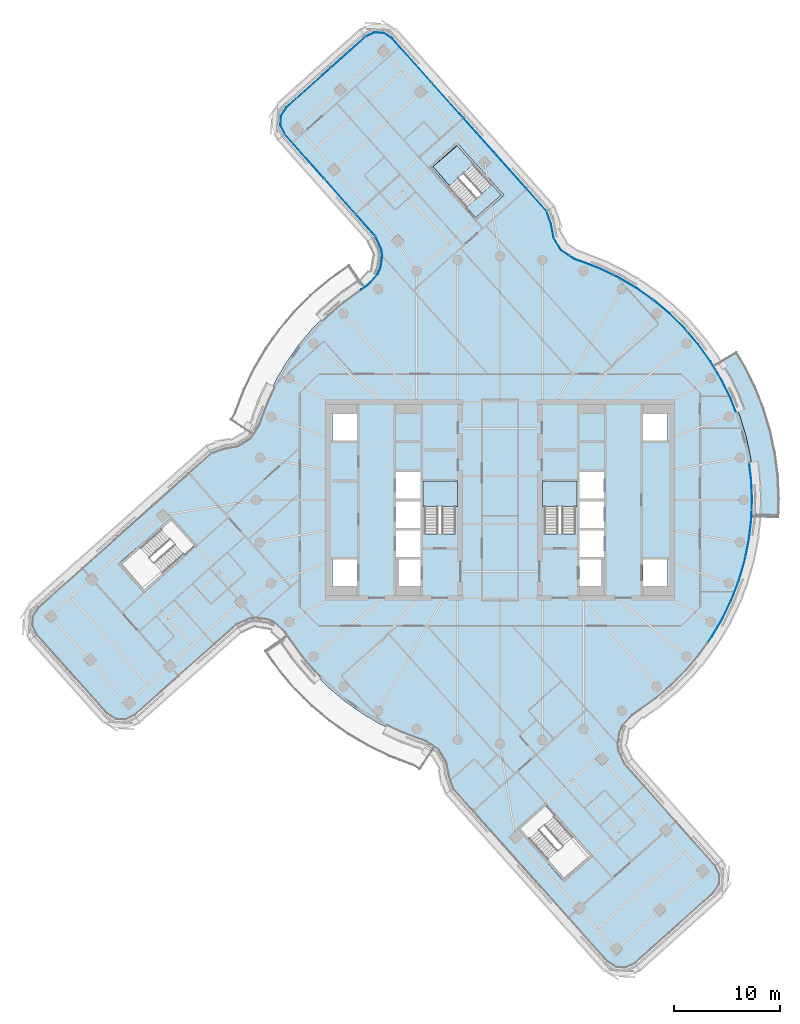
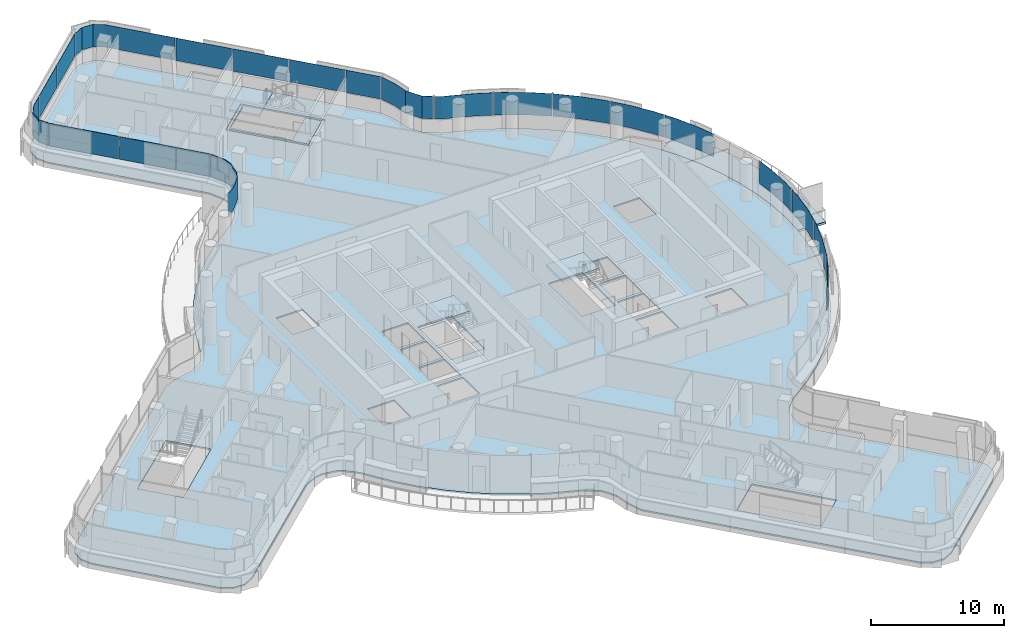
# One storey, part 19 of 33: 22 plates, 6 slabs, 8 elements without a shape of their own.
"""IFC4 building model written with IfcOpenShell, lengths in metres."""

from ifc_helpers import new_model, si_unit, direction, frame, origin, place, context, subcontext, project, spatial, polyline, outline, extrude, material, layer, layer_set, type_object, element, aggregate, save


model = new_model("IFC4")

# Units and contexts
model_context = context("Model", 3, precision=1e-05, world=origin(), true_north=direction((0.0, 1.0)))
body_context = subcontext(model_context, "Body", "Model", "MODEL_VIEW")
ifc_project = project(units=[si_unit("LENGTHUNIT", "METRE"), si_unit("AREAUNIT", "SQUARE_METRE"), si_unit("VOLUMEUNIT", "CUBIC_METRE"), si_unit("PLANEANGLEUNIT", "RADIAN"), si_unit("MASSUNIT", "GRAM", prefix="KILO")], contexts=[model_context])

# Site, building, storey
site_placement = place(None, origin())
site = spatial("IfcSite", under=ifc_project, at=site_placement, CompositionType="ELEMENT")
building_placement = place(site_placement, origin())
building = spatial("IfcBuilding", under=site, at=building_placement, Name="Tamarind Cross Interchange Tower", CompositionType="ELEMENT")
storey_placement = place(building_placement, frame((0.0, 0.0, 186.10009765625)))
storey = spatial("IfcBuildingStorey", under=building, at=storey_placement, Name="L46", CompositionType="ELEMENT", Elevation=186.10009765625)

# Slabs
ifc_material_1 = material(Name="Precast concrete C40", Category="concrete")
ifc_layer_1 = layer(ifc_material_1, 0.199951171875)
ifc_layer_set_1 = layer_set([ifc_layer_1], Name="Precast concrete C40")
slab_type_1 = type_object("IfcSlabType", Name="Balcony slab", PredefinedType="BASESLAB", material=ifc_layer_set_1)
slab_1_placement = place(storey_placement, frame((0.0, 0.0, -0.2001953125)))
element("IfcSlab", 1, at=slab_1_placement, inside=storey, type_object=slab_type_1, Name="SLB-L46-BAL06", PredefinedType="BASESLAB", context=body_context, shape_type="SweptSolid", body=[
    extrude(outline(polyline([(23.934814453125, -1.53857421875), (23.995849609375, 0.103271484375), (23.9052734375, 2.08447265625), (23.6513671875, 4.051513671875), (23.236083984375, 5.99072265625), (22.662109375, 7.88916015625), (21.93310546875, 9.733642578125), (21.054443359375, 11.511474609375), (20.32177734375, 12.72900390625), (22.37841796875, 13.96630859375), (23.162109375, 12.663818359375), (24.128662109375, 10.7080078125), (24.9306640625, 8.6787109375), (25.56201171875, 6.59033203125), (26.01904296875, 4.45703125), (26.298095703125, 2.293212890625), (26.397705078125, 0.113525390625), (26.333251953125, -1.62744140625), (23.934814453125, -1.53857421875)])), origin(), (0.0, 0.0, 1.0), 0.2001953125),
])
ifc_material_2 = material(Name="Concrete C35", Category="concrete")
ifc_layer_2 = layer(ifc_material_2, 0.139892578125)
ifc_layer_set_2 = layer_set([ifc_layer_2], Name="Concrete C35")
slab_type_2 = type_object("IfcSlabType", Name="Composite slab 140 Concrete C35", PredefinedType="FLOOR", material=ifc_layer_set_2)
slab_2_placement = place(storey_placement, frame((0.0, 0.0, -0.14013671875)))
element("IfcSlab", 2, at=slab_2_placement, inside=storey, type_object=slab_type_2, Name="Floor slab L46", PredefinedType="FLOOR", context=body_context, shape_type="SweptSolid", body=[
    extrude(outline(polyline([(-26.13427734375, 5.01025390625), (-27.390380859375, 4.570556640625), (-43.71826171875, -10.024169921875), (-44.285400390625, -10.890380859375), (-44.34326171875, -11.924072265625), (-43.876708984375, -12.84814453125), (-37.21240234375, -20.3037109375), (-36.34619140625, -20.870849609375), (-35.3125, -20.9287109375), (-34.38818359375, -20.462158203125), (-24.788330078125, -11.9384765625), (-23.61474609375, -11.39208984375), (-23.053955078125, -11.31201171875), (-21.92138671875, -11.485595703125), (-21.410400390625, -11.72998046875), (-20.4541015625, -12.602294921875), (-20.031982421875, -13.2109375), (-18.87255859375, -14.820068359375), (-17.584228515625, -16.327880859375), (-16.17578125, -17.72412109375), (-14.656982421875, -18.99951171875), (-13.0380859375, -20.14501953125), (-11.329833984375, -21.15283203125), (-9.54443359375, -22.01611328125), (-7.693603515625, -22.72900390625), (-7.11669921875, -22.9267578125), (-5.928955078125, -23.705078125), (-5.2578125, -24.827880859375), (-5.01025390625, -26.13427734375), (-4.570556640625, -27.390380859375), (10.024169921875, -43.71826171875), (10.890380859375, -44.285400390625), (11.924072265625, -44.34326171875), (12.84814453125, -43.876708984375), (20.3037109375, -37.21240234375), (20.870849609375, -36.34619140625), (20.9287109375, -35.3125), (20.462158203125, -34.38818359375), (11.9384765625, -24.788330078125), (11.39208984375, -23.61474609375), (11.31201171875, -23.053955078125), (11.485595703125, -21.92138671875), (11.72998046875, -21.410400390625), (12.602294921875, -20.4541015625), (13.2109375, -20.031982421875), (14.820068359375, -18.87255859375), (16.327880859375, -17.584228515625), (17.72412109375, -16.17578125), (18.99951171875, -14.656982421875), (20.14501953125, -13.0380859375), (21.15283203125, -11.329833984375), (22.01611328125, -9.54443359375), (22.72900390625, -7.693603515625), (23.286865234375, -5.79052734375), (23.685546875, -3.84765625), (23.92236328125, -1.878662109375), (23.99560546875, 0.103271484375), (23.9052734375, 2.08447265625), (23.651611328125, 4.051513671875), (23.236083984375, 5.99072265625), (22.662109375, 7.88916015625), (21.93310546875, 9.7333984375), (21.054443359375, 11.511474609375), (20.031982421875, 13.2109375), (18.87255859375, 14.820068359375), (17.584228515625, 16.327880859375), (16.17578125, 17.72412109375), (14.656982421875, 18.99951171875), (13.0380859375, 20.14501953125), (11.329833984375, 21.15283203125), (9.54443359375, 22.01611328125), (7.693603515625, 22.72900390625), (7.11669921875, 22.9267578125), (5.928955078125, 23.705078125), (5.2578125, 24.827880859375), (5.01025390625, 26.13427734375), (4.570556640625, 27.390380859375), (-10.024169921875, 43.71826171875), (-10.890380859375, 44.285400390625), (-11.924072265625, 44.34326171875), (-12.84814453125, 43.876708984375), (-20.3037109375, 37.21240234375), (-20.870849609375, 36.34619140625), (-20.9287109375, 35.3125), (-20.462158203125, 34.38818359375), (-11.9384765625, 24.788330078125), (-11.39208984375, 23.61474609375), (-11.31201171875, 23.053955078125), (-11.485595703125, 21.92138671875), (-11.72998046875, 21.410400390625), (-12.602294921875, 20.4541015625), (-13.2109375, 20.031982421875), (-14.820068359375, 18.87255859375), (-16.327880859375, 17.584228515625), (-17.72412109375, 16.17578125), (-18.99951171875, 14.656982421875), (-20.14501953125, 13.0380859375), (-21.15283203125, 11.329833984375), (-22.01611328125, 9.54443359375), (-22.72900390625, 7.693603515625), (-22.9267578125, 7.11669921875), (-23.705078125, 5.928955078125), (-24.827880859375, 5.2578125), (-26.13427734375, 5.01025390625)]), holes=[polyline([(-31.014404296875, -1.619384765625), (-30.881103515625, -1.7685546875), (-28.748291015625, -4.154296875), (-28.615234375, -4.303466796875), (-33.610595703125, -8.7685546875), (-33.743896484375, -8.619384765625), (-35.876220703125, -6.233642578125), (-36.009521484375, -6.08447265625), (-35.797119140625, -5.894287109375), (-35.836181640625, -5.84912109375), (-33.343994140625, -3.70166015625), (-31.014404296875, -1.619384765625)]), polyline([(-13.5, -8.125), (-15.800048828125, -8.125), (-15.800048828125, -5.625), (-13.5, -5.625), (-13.5, -8.125)]), polyline([(-7.5, -8.125), (-9.800048828125, -8.125), (-9.800048828125, -5.625), (-7.5, -5.625), (-7.5, -8.125)]), polyline([(-7.5, -5.375), (-9.800048828125, -5.375), (-9.800048828125, -2.875), (-7.5, -2.875), (-7.5, -5.375)]), polyline([(-7.5, -2.625), (-9.800048828125, -2.625), (-9.800048828125, -0.125), (-7.5, -0.125), (-7.5, -2.625)]), polyline([(-4.199951171875, 1.800048828125), (-4.199951171875, -3.18798828125), (-7.14990234375, -3.18798828125), (-7.14990234375, 1.800048828125), (-4.199951171875, 1.800048828125)]), polyline([(-7.5, 0.125), (-9.800048828125, 0.125), (-9.800048828125, 2.625), (-7.5, 2.625), (-7.5, 0.125)]), polyline([(-13.5, 5.625), (-15.800048828125, 5.625), (-15.800048828125, 8.125), (-13.5, 8.125), (-13.5, 5.625)]), polyline([(-6.769287109375, 31.373779296875), (-6.6201171875, 31.507080078125), (-4.234375, 33.6396484375), (-4.085205078125, 33.77294921875), (-3.894775390625, 33.559814453125), (-3.890869140625, 33.5634765625), (-3.701904296875, 33.343994140625), (0.3798828125, 28.777587890625), (0.230712890625, 28.644287109375), (-2.155029296875, 26.51171875), (-2.30419921875, 26.37841796875), (-6.769287109375, 31.373779296875)]), polyline([(1.619384765625, -31.014404296875), (1.7685546875, -30.881103515625), (4.154296875, -28.748291015625), (4.303466796875, -28.615234375), (8.7685546875, -33.610595703125), (8.619384765625, -33.743896484375), (6.233642578125, -35.876220703125), (6.08447265625, -36.009521484375), (5.894287109375, -35.797119140625), (5.84912109375, -35.836181640625), (3.70166015625, -33.343994140625), (1.619384765625, -31.014404296875)]), polyline([(7.5, -5.625), (9.800048828125, -5.625), (9.800048828125, -8.125), (7.5, -8.125), (7.5, -5.625)]), polyline([(13.5, -5.625), (15.800048828125, -5.625), (15.800048828125, -8.125), (13.5, -8.125), (13.5, -5.625)]), polyline([(7.5, -2.875), (9.800048828125, -2.875), (9.800048828125, -5.375), (7.5, -5.375), (7.5, -2.875)]), polyline([(7.5, -0.125), (9.800048828125, -0.125), (9.800048828125, -2.625), (7.5, -2.625), (7.5, -0.125)]), polyline([(7.14990234375, 1.800048828125), (7.14990234375, -3.18798828125), (4.199951171875, -3.18798828125), (4.199951171875, 1.800048828125), (7.14990234375, 1.800048828125)]), polyline([(7.5, 2.625), (9.800048828125, 2.625), (9.800048828125, 0.125), (7.5, 0.125), (7.5, 2.625)]), polyline([(13.5, 8.125), (15.800048828125, 8.125), (15.800048828125, 5.625), (13.5, 5.625), (13.5, 8.125)])]), origin(), (0.0, 0.0, 1.0), 0.14013671875),
])
slab_3_placement = place(storey_placement, frame((0.0, 0.0, -0.14013671875)))
element("IfcSlab", 3, at=slab_3_placement, inside=storey, type_object=slab_type_2, Name="Floor slab L46", PredefinedType="FLOOR", context=body_context, shape_type="SweptSolid", body=[
    extrude(outline(polyline([(-2.288330078125, 26.660888671875), (0.097412109375, 28.79345703125), (-0.7216796875, 29.709716796875), (-0.77685546875, 29.771484375), (-3.07666015625, 27.7158203125), (-6.315185546875, 31.474609375), (-4.04638671875, 33.429443359375), (-4.10107421875, 33.490478515625), (-6.48681640625, 31.35791015625), (-2.288330078125, 26.660888671875)])), origin(), (0.0, 0.0, 1.0), 0.14013671875),
])

# Stair, slab
ifc_material_3 = material(Name="Exit stair")
stair_type = type_object("IfcStairType", Name="Exit stair", PredefinedType="HALF_TURN_STAIR", material=ifc_material_3)
stair_1_placement = place(storey_placement, origin())
stair_1 = element("IfcStair", 4, at=stair_1_placement, inside=storey, type_object=stair_type, Name="L46 exit stair ST1", PredefinedType="HALF_TURN_STAIR")
ifc_material_4 = material(Name="Concrete C40", Category="concrete")
ifc_layer_3 = layer(ifc_material_4, 0.199951171875)
ifc_layer_set_3 = layer_set([ifc_layer_3], Name="Concrete C40")
slab_type_3 = type_object("IfcSlabType", Name="Stair landing", PredefinedType="LANDING", material=ifc_layer_set_3)
slab_4_placement = place(storey_placement, frame((0.0, 0.0, 1.599853515625)))
slab_4 = element("IfcSlab", 5, at=slab_4_placement, type_object=slab_type_3, Name="ST1 landing 1", PredefinedType="LANDING", context=body_context, shape_type="SweptSolid", body=[
    extrude(outline(polyline([(-4.0, -0.60009765625), (-4.0, 1.800048828125), (-7.25, 1.800048828125), (-7.25, -0.60009765625), (-4.0, -0.60009765625)])), origin(), (0.0, 0.0, 1.0), 0.199951171875),
])
aggregate(stair_1, [slab_4])

stair_2_placement = place(storey_placement, origin())
stair_2 = element("IfcStair", 6, at=stair_2_placement, inside=storey, type_object=stair_type, Name="L46 exit stair ST2", PredefinedType="HALF_TURN_STAIR")
slab_5_placement = place(storey_placement, frame((0.0, 0.0, 1.599853515625)))
slab_5 = element("IfcSlab", 7, at=slab_5_placement, type_object=slab_type_3, Name="ST2 landing 1", PredefinedType="LANDING", context=body_context, shape_type="SweptSolid", body=[
    extrude(outline(polyline([(7.25, -0.60009765625), (7.25, 1.800048828125), (4.0, 1.800048828125), (4.0, -0.60009765625), (7.25, -0.60009765625)])), origin(), (0.0, 0.0, 1.0), 0.199951171875),
])
aggregate(stair_2, [slab_5])

stair_3_placement = place(storey_placement, origin())
stair_3 = element("IfcStair", 8, at=stair_3_placement, inside=storey, type_object=stair_type, Name="L46 exit stair ST4", PredefinedType="HALF_TURN_STAIR")
slab_6_placement = place(storey_placement, frame((0.0, 0.0, 1.599853515625)))
slab_6 = element("IfcSlab", 9, at=slab_6_placement, type_object=slab_type_3, Name="ST4 landing 1", PredefinedType="LANDING", context=body_context, shape_type="SweptSolid", body=[
    extrude(outline(polyline([(-2.49365234375, 31.692138671875), (-4.10107421875, 33.490478515625), (-6.48681640625, 31.35791015625), (-4.87939453125, 29.5595703125), (-2.49365234375, 31.692138671875)])), origin(), (0.0, 0.0, 1.0), 0.199951171875),
])
aggregate(stair_3, [slab_6])

# Curtain wall, plates
ifc_material_5 = material(Name="Aluminium 6063-T6", Category="aluminium")
ifc_layer_4 = layer(ifc_material_5, 0.139892578125)
ifc_layer_set_4 = layer_set([ifc_layer_4], Name="Aluminium 6063-T6")
curtain_wall_type = type_object("IfcCurtainWallType", Name="Hotel curtain wall, 4.5 m bays", PredefinedType="NOTDEFINED", material=ifc_layer_set_4)
curtain_wall_1_placement = place(storey_placement, origin())
curtain_wall_1 = element("IfcCurtainWall", 10, at=curtain_wall_1_placement, inside=storey, type_object=curtain_wall_type, Name="CWS-L46-06", PredefinedType="NOTDEFINED")
ifc_material_6 = material(Name="Laminated low-e glass 6+1.52+6", Category="glass")
ifc_layer_5 = layer(ifc_material_6, 0.02392578125)
ifc_layer_set_5 = layer_set([ifc_layer_5], Name="Laminated low-e glass 6+1.52+6")
plate_type = type_object("IfcPlateType", Name="Vision panel CW2", PredefinedType="CURTAIN_PANEL", material=ifc_layer_set_5)
plate_1_placement = place(storey_placement, frame((0.0, 0.0, 1.39990234375)))
plate_1 = element("IfcPlate", 11, at=plate_1_placement, type_object=plate_type, Name="CWP-L46-06-03", PredefinedType="CURTAIN_PANEL", context=body_context, shape_type="SweptSolid", body=[
    extrude(outline(polyline([(19.592041015625, -13.452392578125), (19.966796875, -12.922607421875), (20.9658203125, -11.229736328125), (21.7451171875, -9.61767578125), (21.766845703125, -9.628173828125), (20.98681640625, -11.240966796875), (19.987060546875, -12.935791015625), (19.611572265625, -13.46630859375), (19.592041015625, -13.452392578125)])), origin(), (0.0, 0.0, 1.0), 2.06005859375),
])
plate_2_placement = place(storey_placement, frame((0.0, 0.0, 1.39990234375)))
plate_2 = element("IfcPlate", 12, at=plate_2_placement, type_object=plate_type, Name="CWP-L46-06-04", PredefinedType="CURTAIN_PANEL", context=body_context, shape_type="SweptSolid", body=[
    extrude(outline(polyline([(21.771240234375, -9.563720703125), (21.821533203125, -9.4599609375), (22.528076171875, -7.625732421875), (23.080810546875, -5.7392578125), (23.152587890625, -5.3896484375), (23.17626953125, -5.39453125), (23.104248046875, -5.7451171875), (22.55078125, -7.63330078125), (21.843505859375, -9.469482421875), (21.79296875, -9.57421875), (21.771240234375, -9.563720703125)])), origin(), (0.0, 0.0, 1.0), 2.06005859375),
])
plate_3_placement = place(storey_placement, frame((0.0, 0.0, 1.39990234375)))
plate_3 = element("IfcPlate", 13, at=plate_3_placement, type_object=plate_type, Name="CWP-L46-06-05", PredefinedType="CURTAIN_PANEL", context=body_context, shape_type="SweptSolid", body=[
    extrude(outline(polyline([(23.164794921875, -5.330810546875), (23.47607421875, -3.813720703125), (23.710693359375, -1.862060546875), (23.74365234375, -0.971923828125), (23.767822265625, -0.972900390625), (23.734619140625, -1.864013671875), (23.499755859375, -3.817626953125), (23.188232421875, -5.335693359375), (23.164794921875, -5.330810546875)])), origin(), (0.0, 0.0, 1.0), 2.06005859375),
])
plate_4_placement = place(storey_placement, frame((0.0, 0.0, 1.39990234375)))
plate_4 = element("IfcPlate", 14, at=plate_4_placement, type_object=plate_type, Name="CWP-L46-06-06", PredefinedType="CURTAIN_PANEL", context=body_context, shape_type="SweptSolid", body=[
    extrude(outline(polyline([(23.745849609375, -0.912109375), (23.783447265625, 0.102294921875), (23.69384765625, 2.06591796875), (23.511474609375, 3.478759765625), (23.535400390625, 3.48193359375), (23.7177734375, 2.068115234375), (23.8076171875, 0.1025390625), (23.77001953125, -0.912841796875), (23.745849609375, -0.912109375)])), origin(), (0.0, 0.0, 1.0), 2.06005859375),
])
plate_5_placement = place(storey_placement, frame((0.0, 0.0, 1.39990234375)))
plate_5 = element("IfcPlate", 15, at=plate_5_placement, type_object=plate_type, Name="CWP-L46-06-08", PredefinedType="CURTAIN_PANEL", context=body_context, shape_type="SweptSolid", body=[
    extrude(outline(polyline([(22.274169921875, 8.2939453125), (21.7392578125, 9.6474609375), (20.868408203125, 11.40966796875), (20.36083984375, 12.2529296875), (20.381591796875, 12.265380859375), (20.889404296875, 11.421142578125), (21.76123046875, 9.6572265625), (22.29638671875, 8.302734375), (22.274169921875, 8.2939453125)])), origin(), (0.0, 0.0, 1.0), 2.06005859375),
])
plate_6_placement = place(storey_placement, frame((0.0, 0.0, 1.39990234375)))
plate_6 = element("IfcPlate", 16, at=plate_6_placement, type_object=plate_type, Name="CWP-L46-06-09", PredefinedType="CURTAIN_PANEL", context=body_context, shape_type="SweptSolid", body=[
    extrude(outline(polyline([(20.330078125, 12.30419921875), (19.854736328125, 13.093994140625), (18.705810546875, 14.68896484375), (17.7197265625, 15.843017578125), (17.738037109375, 15.8583984375), (18.724609375, 14.703857421875), (19.874755859375, 13.107177734375), (20.3505859375, 12.316650390625), (20.330078125, 12.30419921875)])), origin(), (0.0, 0.0, 1.0), 2.06005859375),
])
plate_7_placement = place(storey_placement, frame((0.0, 0.0, 1.39990234375)))
plate_7 = element("IfcPlate", 17, at=plate_7_placement, type_object=plate_type, Name="CWP-L46-06-10", PredefinedType="CURTAIN_PANEL", context=body_context, shape_type="SweptSolid", body=[
    extrude(outline(polyline([(17.680908203125, 15.888427734375), (17.4287109375, 16.183349609375), (16.032958984375, 17.5673828125), (14.52734375, 18.83154296875), (14.458740234375, 18.880126953125), (14.472412109375, 18.899658203125), (14.5419921875, 18.850341796875), (16.049072265625, 17.585205078125), (17.4462890625, 16.19970703125), (17.698974609375, 15.904052734375), (17.680908203125, 15.888427734375)])), origin(), (0.0, 0.0, 1.0), 2.06005859375),
])
plate_8_placement = place(storey_placement, frame((0.0, 0.0, 1.39990234375)))
plate_8 = element("IfcPlate", 18, at=plate_8_placement, type_object=plate_type, Name="CWP-L46-06-11", PredefinedType="CURTAIN_PANEL", context=body_context, shape_type="SweptSolid", body=[
    extrude(outline(polyline([(14.40966796875, 18.914794921875), (12.922607421875, 19.966796875), (11.229736328125, 20.9658203125), (10.67333984375, 21.234619140625), (10.683837890625, 21.25634765625), (11.240966796875, 20.98681640625), (12.935791015625, 19.987060546875), (14.423583984375, 18.934326171875), (14.40966796875, 18.914794921875)])), origin(), (0.0, 0.0, 1.0), 2.06005859375),
])
plate_9_placement = place(storey_placement, frame((0.0, 0.0, 1.39990234375)))
plate_9 = element("IfcPlate", 19, at=plate_9_placement, type_object=plate_type, Name="CWP-L46-06-12", PredefinedType="CURTAIN_PANEL", context=body_context, shape_type="SweptSolid", body=[
    extrude(outline(polyline([(10.619384765625, 21.2607421875), (9.4599609375, 21.821533203125), (7.621337890625, 22.52978515625), (7.022705078125, 22.734619140625), (6.557861328125, 23.03955078125), (6.571044921875, 23.0595703125), (7.033447265625, 22.75634765625), (7.62939453125, 22.552490234375), (9.469482421875, 21.843505859375), (10.6298828125, 21.282470703125), (10.619384765625, 21.2607421875)])), origin(), (0.0, 0.0, 1.0), 2.06005859375),
])
plate_10_placement = place(storey_placement, frame((0.0, 0.0, 1.39990234375)))
plate_10 = element("IfcPlate", 20, at=plate_10_placement, type_object=plate_type, Name="CWP-L46-06-13", PredefinedType="CURTAIN_PANEL", context=body_context, shape_type="SweptSolid", body=[
    extrude(outline(polyline([(6.507568359375, 23.072265625), (5.77197265625, 23.5546875), (5.056396484375, 24.75146484375), (4.804931640625, 26.079345703125), (4.3935546875, 27.254638671875), (4.416259765625, 27.262451171875), (4.828125, 26.08544921875), (5.079345703125, 24.760009765625), (5.789794921875, 23.57177734375), (6.520751953125, 23.092529296875), (6.507568359375, 23.072265625)])), origin(), (0.0, 0.0, 1.0), 2.06005859375),
])
aggregate(curtain_wall_1, [plate_1, plate_2, plate_3, plate_4, plate_5, plate_6, plate_7, plate_8, plate_9, plate_10])

curtain_wall_2_placement = place(storey_placement, origin())
curtain_wall_2 = element("IfcCurtainWall", 21, at=curtain_wall_2_placement, inside=storey, type_object=curtain_wall_type, Name="CWS-L46-07", PredefinedType="NOTDEFINED")
plate_11_placement = place(storey_placement, frame((0.0, 0.0, 1.39990234375)))
plate_11 = element("IfcPlate", 22, at=plate_11_placement, type_object=plate_type, Name="CWP-L46-07-00", PredefinedType="CURTAIN_PANEL", context=body_context, shape_type="SweptSolid", body=[
    extrude(outline(polyline([(4.365966796875, 27.30126953125), (2.527587890625, 29.35791015625), (2.545654296875, 29.373779296875), (4.3837890625, 27.317138671875), (4.365966796875, 27.30126953125)])), origin(), (0.0, 0.0, 1.0), 2.06005859375),
])
plate_12_placement = place(storey_placement, frame((0.0, 0.0, 1.39990234375)))
plate_12 = element("IfcPlate", 23, at=plate_12_placement, type_object=plate_type, Name="CWP-L46-07-01", PredefinedType="CURTAIN_PANEL", context=body_context, shape_type="SweptSolid", body=[
    extrude(outline(polyline([(2.48779296875, 29.402587890625), (-0.462158203125, 32.70263671875), (-0.4443359375, 32.71875), (2.505615234375, 29.41845703125), (2.48779296875, 29.402587890625)])), origin(), (0.0, 0.0, 1.0), 2.06005859375),
])
plate_13_placement = place(storey_placement, frame((0.0, 0.0, 1.39990234375)))
plate_13 = element("IfcPlate", 24, at=plate_13_placement, type_object=plate_type, Name="CWP-L46-07-02", PredefinedType="CURTAIN_PANEL", context=body_context, shape_type="SweptSolid", body=[
    extrude(outline(polyline([(-0.502197265625, 32.74755859375), (-3.4521484375, 36.047607421875), (-3.43408203125, 36.063720703125), (-0.484375, 32.763427734375), (-0.502197265625, 32.74755859375)])), origin(), (0.0, 0.0, 1.0), 2.06005859375),
])
plate_14_placement = place(storey_placement, frame((0.0, 0.0, 1.39990234375)))
plate_14 = element("IfcPlate", 25, at=plate_14_placement, type_object=plate_type, Name="CWP-L46-07-03", PredefinedType="CURTAIN_PANEL", context=body_context, shape_type="SweptSolid", body=[
    extrude(outline(polyline([(-3.4921875, 36.09228515625), (-6.44189453125, 39.392578125), (-6.424072265625, 39.40869140625), (-3.47412109375, 36.1083984375), (-3.4921875, 36.09228515625)])), origin(), (0.0, 0.0, 1.0), 2.06005859375),
])
plate_15_placement = place(storey_placement, frame((0.0, 0.0, 1.39990234375)))
plate_15 = element("IfcPlate", 26, at=plate_15_placement, type_object=plate_type, Name="CWP-L46-07-04", PredefinedType="CURTAIN_PANEL", context=body_context, shape_type="SweptSolid", body=[
    extrude(outline(polyline([(-6.48193359375, 39.437255859375), (-10.16357421875, 43.55615234375), (-10.958984375, 44.076904296875), (-11.879150390625, 44.12841796875), (-12.702392578125, 43.712646484375), (-12.713134765625, 43.734130859375), (-11.88427734375, 44.15283203125), (-10.951171875, 44.100341796875), (-10.147705078125, 43.574462890625), (-6.464111328125, 39.453369140625), (-6.48193359375, 39.437255859375)])), origin(), (0.0, 0.0, 1.0), 2.06005859375),
])
aggregate(curtain_wall_2, [plate_11, plate_12, plate_13, plate_14, plate_15])

curtain_wall_3_placement = place(storey_placement, origin())
curtain_wall_3 = element("IfcCurtainWall", 27, at=curtain_wall_3_placement, inside=storey, type_object=curtain_wall_type, Name="CWS-L46-08", PredefinedType="NOTDEFINED")
plate_16_placement = place(storey_placement, frame((0.0, 0.0, 1.39990234375)))
plate_16 = element("IfcPlate", 28, at=plate_16_placement, type_object=plate_type, Name="CWP-L46-08-00", PredefinedType="CURTAIN_PANEL", context=body_context, shape_type="SweptSolid", body=[
    extrude(outline(polyline([(-12.748779296875, 43.680908203125), (-15.944091796875, 40.824951171875), (-15.9599609375, 40.8427734375), (-12.764892578125, 43.698974609375), (-12.748779296875, 43.680908203125)])), origin(), (0.0, 0.0, 1.0), 2.06005859375),
])
plate_17_placement = place(storey_placement, frame((0.0, 0.0, 1.39990234375)))
plate_17 = element("IfcPlate", 29, at=plate_17_placement, type_object=plate_type, Name="CWP-L46-08-01", PredefinedType="CURTAIN_PANEL", context=body_context, shape_type="SweptSolid", body=[
    extrude(outline(polyline([(-15.98876953125, 40.784912109375), (-19.18408203125, 37.928955078125), (-19.199951171875, 37.94677734375), (-16.0048828125, 40.802734375), (-15.98876953125, 40.784912109375)])), origin(), (0.0, 0.0, 1.0), 2.06005859375),
])
plate_18_placement = place(storey_placement, frame((0.0, 0.0, 1.39990234375)))
plate_18 = element("IfcPlate", 30, at=plate_18_placement, type_object=plate_type, Name="CWP-L46-08-02", PredefinedType="CURTAIN_PANEL", context=body_context, shape_type="SweptSolid", body=[
    extrude(outline(polyline([(-19.228759765625, 37.888916015625), (-20.141845703125, 37.07275390625), (-20.662353515625, 36.277587890625), (-20.7138671875, 35.357421875), (-20.298095703125, 34.533935546875), (-20.319580078125, 34.52294921875), (-20.73828125, 35.352294921875), (-20.68603515625, 36.285400390625), (-20.16015625, 37.088623046875), (-19.244873046875, 37.90673828125), (-19.228759765625, 37.888916015625)])), origin(), (0.0, 0.0, 1.0), 2.06005859375),
])
aggregate(curtain_wall_3, [plate_16, plate_17, plate_18])

curtain_wall_4_placement = place(storey_placement, origin())
curtain_wall_4 = element("IfcCurtainWall", 31, at=curtain_wall_4_placement, inside=storey, type_object=curtain_wall_type, Name="CWS-L46-09", PredefinedType="NOTDEFINED")
plate_19_placement = place(storey_placement, frame((0.0, 0.0, 1.39990234375)))
plate_19 = element("IfcPlate", 32, at=plate_19_placement, type_object=plate_type, Name="CWP-L46-09-00", PredefinedType="CURTAIN_PANEL", context=body_context, shape_type="SweptSolid", body=[
    extrude(outline(polyline([(-20.266357421875, 34.4873046875), (-16.605224609375, 30.36376953125), (-16.623046875, 30.347900390625), (-20.284423828125, 34.47119140625), (-20.266357421875, 34.4873046875)])), origin(), (0.0, 0.0, 1.0), 2.06005859375),
])
plate_20_placement = place(storey_placement, frame((0.0, 0.0, 1.39990234375)))
plate_20 = element("IfcPlate", 33, at=plate_20_placement, type_object=plate_type, Name="CWP-L46-09-01", PredefinedType="CURTAIN_PANEL", context=body_context, shape_type="SweptSolid", body=[
    extrude(outline(polyline([(-16.5654296875, 30.31884765625), (-13.61669921875, 26.998046875), (-13.634765625, 26.98193359375), (-16.583251953125, 30.302978515625), (-16.5654296875, 30.31884765625)])), origin(), (0.0, 0.0, 1.0), 2.06005859375),
])
plate_21_placement = place(storey_placement, frame((0.0, 0.0, 1.39990234375)))
plate_21 = element("IfcPlate", 34, at=plate_21_placement, type_object=plate_type, Name="CWP-L46-09-02", PredefinedType="CURTAIN_PANEL", context=body_context, shape_type="SweptSolid", body=[
    extrude(outline(polyline([(-13.576904296875, 26.953125), (-11.7802734375, 24.9296875), (-11.79833984375, 24.913818359375), (-13.5947265625, 26.937255859375), (-13.576904296875, 26.953125)])), origin(), (0.0, 0.0, 1.0), 2.06005859375),
])
aggregate(curtain_wall_4, [plate_19, plate_20, plate_21])

# Curtain wall, plate
curtain_wall_5_placement = place(storey_placement, origin())
curtain_wall_5 = element("IfcCurtainWall", 35, at=curtain_wall_5_placement, inside=storey, type_object=curtain_wall_type, Name="CWS-L46-10", PredefinedType="NOTDEFINED")
plate_22_placement = place(storey_placement, frame((0.0, 0.0, 1.39990234375)))
plate_22 = element("IfcPlate", 36, at=plate_22_placement, type_object=plate_type, Name="CWP-L46-10-00", PredefinedType="CURTAIN_PANEL", context=body_context, shape_type="SweptSolid", body=[
    extrude(outline(polyline([(-11.745849609375, 24.877197265625), (-11.186767578125, 23.67578125), (-11.097900390625, 23.052978515625), (-11.28076171875, 21.8583984375), (-11.552001953125, 21.29052734375), (-12.4619140625, 20.29345703125), (-13.08837890625, 19.85888671875), (-13.242919921875, 19.74755859375), (-13.257080078125, 19.766845703125), (-13.102294921875, 19.87841796875), (-12.477783203125, 20.311767578125), (-11.572265625, 21.30419921875), (-11.303955078125, 21.865478515625), (-11.1220703125, 23.052978515625), (-11.2099609375, 23.6689453125), (-11.767578125, 24.866943359375), (-11.745849609375, 24.877197265625)])), origin(), (0.0, 0.0, 1.0), 2.06005859375),
])
aggregate(curtain_wall_5, [plate_22])

save(model, "model.ifc")
